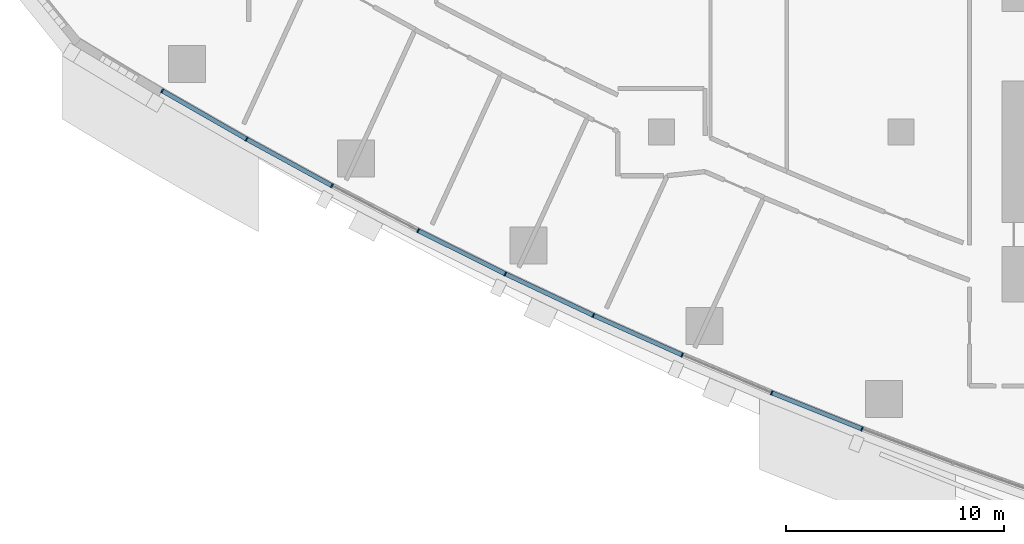
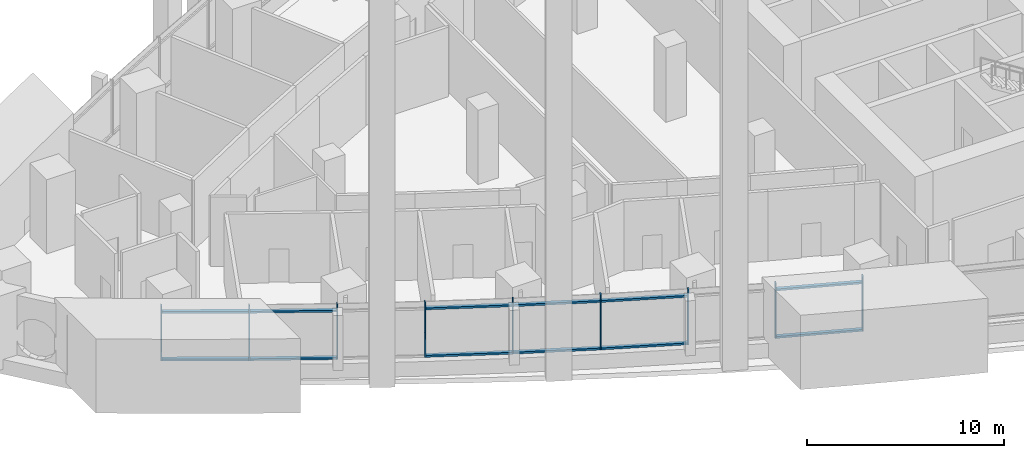
# One storey, part 2 of 17: 21 members, 4 elements without a shape of their own.
"""IFC4 building model written with IfcOpenShell, lengths in metres."""

from ifc_helpers import new_model, si_unit, direction, frame, origin, origin_2d, place, context, subcontext, project, spatial, rectangle, extrude, material, layer, layer_set, material_profile, profile_set, type_object, element, aggregate, save


model = new_model("IFC4")

# Units and contexts
model_context = context("Model", 3, precision=1e-05, world=origin(), true_north=direction((0.0, 1.0)))
body_context = subcontext(model_context, "Body", "Model", "MODEL_VIEW")
ifc_project = project(units=[si_unit("LENGTHUNIT", "METRE"), si_unit("AREAUNIT", "SQUARE_METRE"), si_unit("VOLUMEUNIT", "CUBIC_METRE"), si_unit("PLANEANGLEUNIT", "RADIAN"), si_unit("MASSUNIT", "GRAM", prefix="KILO")], contexts=[model_context])

# Site, building, storey
site_placement = place(None, origin())
site = spatial("IfcSite", under=ifc_project, at=site_placement, CompositionType="ELEMENT")
building_placement = place(site_placement, origin())
building = spatial("IfcBuilding", under=site, at=building_placement, Name="Ostrand Prow Hotel Tower", CompositionType="ELEMENT")
storey_placement = place(building_placement, frame((0.0, 0.0, 80.300048828125)))
storey = spatial("IfcBuildingStorey", under=building, at=storey_placement, Name="L18", CompositionType="ELEMENT", Elevation=80.300048828125)

# Curtain wall, members
ifc_material_1 = material(Name="Insulated glass in bronze anodised frame", Category="glass")
ifc_layer = layer(ifc_material_1, 0.199951171875)
ifc_layer_set = layer_set([ifc_layer], Name="Insulated glass in bronze anodised frame")
curtain_wall_type = type_object("IfcCurtainWallType", Name="Sky lobby full-height curtain wall", PredefinedType="NOTDEFINED", material=ifc_layer_set)
curtain_wall_1_placement = place(storey_placement, origin())
curtain_wall_1 = element("IfcCurtainWall", 1, at=curtain_wall_1_placement, inside=storey, type_object=curtain_wall_type, Name="CW3 run CWS1", PredefinedType="NOTDEFINED")
ifc_material_2 = material(Name="Bronze anodised aluminium", Category="aluminium")
ifc_material_profile_1 = material_profile(ifc_material_2, rectangle(XDim=0.199951171875, YDim=0.06005859375, at=origin_2d()), Name="Mullion 60x200 bronze anodised aluminium")
ifc_profile_set_1 = profile_set([ifc_material_profile_1], Name="Bronze anodised aluminium")
member_type_1 = type_object("IfcMemberType", Name="Mullion 60x200 bronze anodised aluminium", PredefinedType="MULLION", material=ifc_profile_set_1)
member_1_placement = place(storey_placement, frame((11.076416015625, -7.099853515625, 0.89990234375), z_axis=(0.0, 0.0, 1.0), x_axis=(0.497114806368, 0.867684775301, 0.0)))
member_1 = element("IfcMember", 2, at=member_1_placement, type_object=member_type_1, Name="CW3 mullion 1", PredefinedType="MULLION", context=body_context, shape_type="SweptSolid", body=[
    extrude(rectangle(XDim=0.199951171875, YDim=0.06005859375, at=origin_2d()), origin(), (0.0, 0.0, 1.0), 3.400146484375),
])
member_2_placement = place(storey_placement, frame((14.951416015625, -9.320068359375, 0.89990234375), z_axis=(0.0, 0.0, 1.0), x_axis=(0.479637052103, 0.877466978439, 0.0)))
member_2 = element("IfcMember", 3, at=member_2_placement, type_object=member_type_1, Name="CW3 mullion 2", PredefinedType="MULLION", context=body_context, shape_type="SweptSolid", body=[
    extrude(rectangle(XDim=0.199951171875, YDim=0.06005859375, at=origin_2d()), origin(), (0.0, 0.0, 1.0), 3.400146484375),
])
member_3_placement = place(storey_placement, frame((18.870361328125, -11.4619140625, 0.89990234375), z_axis=(0.0, 0.0, 1.0), x_axis=(0.479637052103, 0.877466978439, 0.0)))
member_3 = element("IfcMember", 4, at=member_3_placement, type_object=member_type_1, Name="CW3 mullion 3", PredefinedType="MULLION", context=body_context, shape_type="SweptSolid", body=[
    extrude(rectangle(XDim=0.199951171875, YDim=0.06005859375, at=origin_2d()), origin(), (0.0, 0.0, 1.0), 3.400146484375),
])

curtain_wall_2_placement = place(storey_placement, origin())
curtain_wall_2 = element("IfcCurtainWall", 5, at=curtain_wall_2_placement, inside=storey, type_object=curtain_wall_type, Name="CW3 run CWS2", PredefinedType="NOTDEFINED")
member_4_placement = place(storey_placement, frame((22.831298828125, -13.525146484375, 0.89990234375), z_axis=(0.0, 0.0, 1.0), x_axis=(0.44411295748, 0.895970803653, 0.0)))
member_4 = element("IfcMember", 6, at=member_4_placement, type_object=member_type_1, Name="CW3 mullion 2", PredefinedType="MULLION", context=body_context, shape_type="SweptSolid", body=[
    extrude(rectangle(XDim=0.199951171875, YDim=0.06005859375, at=origin_2d()), origin(), (0.0, 0.0, 1.0), 3.400146484375),
])
member_5_placement = place(storey_placement, frame((26.83251953125, -15.508544921875, 0.89990234375), z_axis=(0.0, 0.0, 1.0), x_axis=(0.44411295748, 0.895970803653, 0.0)))
member_5 = element("IfcMember", 7, at=member_5_placement, type_object=member_type_1, Name="CW3 mullion 3", PredefinedType="MULLION", context=body_context, shape_type="SweptSolid", body=[
    extrude(rectangle(XDim=0.199951171875, YDim=0.06005859375, at=origin_2d()), origin(), (0.0, 0.0, 1.0), 3.400146484375),
])

curtain_wall_3_placement = place(storey_placement, origin())
curtain_wall_3 = element("IfcCurtainWall", 8, at=curtain_wall_3_placement, inside=storey, type_object=curtain_wall_type, Name="CW3 run CWS3", PredefinedType="NOTDEFINED")
member_6_placement = place(storey_placement, frame((30.872802734375, -17.41162109375, 0.89990234375), z_axis=(0.0, 0.0, 1.0), x_axis=(0.407874755419, 0.913037887435, 0.0)))
member_6 = element("IfcMember", 9, at=member_6_placement, type_object=member_type_1, Name="CW3 mullion 2", PredefinedType="MULLION", context=body_context, shape_type="SweptSolid", body=[
    extrude(rectangle(XDim=0.199951171875, YDim=0.06005859375, at=origin_2d()), origin(), (0.0, 0.0, 1.0), 3.400146484375),
])
member_7_placement = place(storey_placement, frame((34.95068359375, -19.233154296875, 0.89990234375), z_axis=(0.0, 0.0, 1.0), x_axis=(0.407874755419, 0.913037887435, 0.0)))
member_7 = element("IfcMember", 10, at=member_7_placement, type_object=member_type_1, Name="CW3 mullion 3", PredefinedType="MULLION", context=body_context, shape_type="SweptSolid", body=[
    extrude(rectangle(XDim=0.199951171875, YDim=0.06005859375, at=origin_2d()), origin(), (0.0, 0.0, 1.0), 3.400146484375),
])

curtain_wall_4_placement = place(storey_placement, origin())
curtain_wall_4 = element("IfcCurtainWall", 11, at=curtain_wall_4_placement, inside=storey, type_object=curtain_wall_type, Name="CW3 run CWS4", PredefinedType="NOTDEFINED")
member_8_placement = place(storey_placement, frame((39.06396484375, -20.97265625, 0.89990234375), z_axis=(0.0, 0.0, 1.0), x_axis=(0.370982121315, 0.928640008649, 0.0)))
member_8 = element("IfcMember", 12, at=member_8_placement, type_object=member_type_1, Name="CW3 mullion 2", PredefinedType="MULLION", context=body_context, shape_type="SweptSolid", body=[
    extrude(rectangle(XDim=0.199951171875, YDim=0.06005859375, at=origin_2d()), origin(), (0.0, 0.0, 1.0), 3.400146484375),
])
member_9_placement = place(storey_placement, frame((43.211181640625, -22.62939453125, 0.89990234375), z_axis=(0.0, 0.0, 1.0), x_axis=(0.370982121315, 0.928640008649, 0.0)))
member_9 = element("IfcMember", 13, at=member_9_placement, type_object=member_type_1, Name="CW3 mullion 3", PredefinedType="MULLION", context=body_context, shape_type="SweptSolid", body=[
    extrude(rectangle(XDim=0.199951171875, YDim=0.06005859375, at=origin_2d()), origin(), (0.0, 0.0, 1.0), 3.400146484375),
])

# Member
ifc_material_3 = material(Name="Bronze anodised aluminium", Category="aluminium")
ifc_material_profile_2 = material_profile(ifc_material_3, rectangle(XDim=0.199951171875, YDim=0.1201171875, at=origin_2d()), Name="Transom 120x200 bronze anodised aluminium")
ifc_profile_set_2 = profile_set([ifc_material_profile_2], Name="Bronze anodised aluminium")
member_type_2 = type_object("IfcMemberType", Name="Transom 120x200 bronze anodised aluminium", PredefinedType="USERDEFINED", material=ifc_profile_set_2)
member_10_placement = place(storey_placement, frame((11.1025390625, -7.11474609375, 0.9599609375), z_axis=(0.86766970623, -0.497141107625, 0.0), x_axis=(0.497141107625, 0.86766970623, 0.0)))
member_10 = element("IfcMember", 14, at=member_10_placement, type_object=member_type_2, Name="CW3 transom 1.1", ObjectType="TRANSOM", PredefinedType="USERDEFINED", context=body_context, shape_type="SweptSolid", body=[
    extrude(rectangle(XDim=0.199951171875, YDim=0.1201171875, at=origin_2d()), origin(), (0.0, 0.0, 1.0), 4.406005859375),
])

member_11_placement = place(storey_placement, frame((11.1025390625, -7.11474609375, 3.89990234375), z_axis=(0.86766970623, -0.497141107625, 0.0), x_axis=(0.497141107625, 0.86766970623, 0.0)))
member_11 = element("IfcMember", 15, at=member_11_placement, type_object=member_type_2, Name="CW3 transom 1.2", ObjectType="TRANSOM", PredefinedType="USERDEFINED", context=body_context, shape_type="SweptSolid", body=[
    extrude(rectangle(XDim=0.199951171875, YDim=0.1201171875, at=origin_2d()), origin(), (0.0, 0.0, 1.0), 4.406005859375),
])

member_12_placement = place(storey_placement, frame((14.977783203125, -9.33447265625, 0.9599609375), z_axis=(0.877471714137, -0.479628388328, 0.0), x_axis=(0.479628388328, 0.877471714137, 0.0)))
member_12 = element("IfcMember", 16, at=member_12_placement, type_object=member_type_2, Name="CW3 transom 2.1", ObjectType="TRANSOM", PredefinedType="USERDEFINED", context=body_context, shape_type="SweptSolid", body=[
    extrude(rectangle(XDim=0.199951171875, YDim=0.1201171875, at=origin_2d()), origin(), (0.0, 0.0, 1.0), 4.406005859375),
])

member_13_placement = place(storey_placement, frame((14.977783203125, -9.33447265625, 3.89990234375), z_axis=(0.877471714137, -0.479628388328, 0.0), x_axis=(0.479628388328, 0.877471714137, 0.0)))
member_13 = element("IfcMember", 17, at=member_13_placement, type_object=member_type_2, Name="CW3 transom 2.2", ObjectType="TRANSOM", PredefinedType="USERDEFINED", context=body_context, shape_type="SweptSolid", body=[
    extrude(rectangle(XDim=0.199951171875, YDim=0.1201171875, at=origin_2d()), origin(), (0.0, 0.0, 1.0), 4.406005859375),
])

aggregate(curtain_wall_1, [member_1, member_2, member_3, member_10, member_11, member_12, member_13])

member_14_placement = place(storey_placement, frame((22.858154296875, -13.53857421875, 0.9599609375), z_axis=(0.895962348168, -0.444130015497, 0.0), x_axis=(0.444130015497, 0.895962348168, 0.0)))
member_14 = element("IfcMember", 18, at=member_14_placement, type_object=member_type_2, Name="CW3 transom 2.1", ObjectType="TRANSOM", PredefinedType="USERDEFINED", context=body_context, shape_type="SweptSolid", body=[
    extrude(rectangle(XDim=0.199951171875, YDim=0.1201171875, at=origin_2d()), origin(), (0.0, 0.0, 1.0), 4.406005859375),
])

member_15_placement = place(storey_placement, frame((22.858154296875, -13.53857421875, 3.89990234375), z_axis=(0.895962348168, -0.444130015497, 0.0), x_axis=(0.444130015497, 0.895962348168, 0.0)))
member_15 = element("IfcMember", 19, at=member_15_placement, type_object=member_type_2, Name="CW3 transom 2.2", ObjectType="TRANSOM", PredefinedType="USERDEFINED", context=body_context, shape_type="SweptSolid", body=[
    extrude(rectangle(XDim=0.199951171875, YDim=0.1201171875, at=origin_2d()), origin(), (0.0, 0.0, 1.0), 4.406005859375),
])

aggregate(curtain_wall_2, [member_4, member_5, member_14, member_15])

member_16_placement = place(storey_placement, frame((26.859619140625, -15.521484375, 0.9599609375), z_axis=(0.904696854963, -0.42605586561, 0.0), x_axis=(0.42605586561, 0.904696854963, 0.0)))
member_16 = element("IfcMember", 20, at=member_16_placement, type_object=member_type_2, Name="CW3 transom 1.1", ObjectType="TRANSOM", PredefinedType="USERDEFINED", context=body_context, shape_type="SweptSolid", body=[
    extrude(rectangle(XDim=0.199951171875, YDim=0.1201171875, at=origin_2d()), origin(), (0.0, 0.0, 1.0), 4.406005859375),
])

member_17_placement = place(storey_placement, frame((26.859619140625, -15.521484375, 3.89990234375), z_axis=(0.904696854963, -0.42605586561, 0.0), x_axis=(0.42605586561, 0.904696854963, 0.0)))
member_17 = element("IfcMember", 21, at=member_17_placement, type_object=member_type_2, Name="CW3 transom 1.2", ObjectType="TRANSOM", PredefinedType="USERDEFINED", context=body_context, shape_type="SweptSolid", body=[
    extrude(rectangle(XDim=0.199951171875, YDim=0.1201171875, at=origin_2d()), origin(), (0.0, 0.0, 1.0), 4.406005859375),
])

member_18_placement = place(storey_placement, frame((30.900390625, -17.423583984375, 0.9599609375), z_axis=(0.913030665163, -0.407890922271, 0.0), x_axis=(0.407890922271, 0.913030665163, 0.0)))
member_18 = element("IfcMember", 22, at=member_18_placement, type_object=member_type_2, Name="CW3 transom 2.1", ObjectType="TRANSOM", PredefinedType="USERDEFINED", context=body_context, shape_type="SweptSolid", body=[
    extrude(rectangle(XDim=0.199951171875, YDim=0.1201171875, at=origin_2d()), origin(), (0.0, 0.0, 1.0), 4.40576171875),
])

member_19_placement = place(storey_placement, frame((30.900390625, -17.423583984375, 3.89990234375), z_axis=(0.913030665163, -0.407890922271, 0.0), x_axis=(0.407890922271, 0.913030665163, 0.0)))
member_19 = element("IfcMember", 23, at=member_19_placement, type_object=member_type_2, Name="CW3 transom 2.2", ObjectType="TRANSOM", PredefinedType="USERDEFINED", context=body_context, shape_type="SweptSolid", body=[
    extrude(rectangle(XDim=0.199951171875, YDim=0.1201171875, at=origin_2d()), origin(), (0.0, 0.0, 1.0), 4.40576171875),
])

aggregate(curtain_wall_3, [member_6, member_7, member_16, member_17, member_18, member_19])

member_20_placement = place(storey_placement, frame((39.091796875, -20.983642578125, 0.9599609375), z_axis=(0.928621833209, -0.371027614724, 0.0), x_axis=(0.371027614724, 0.928621833209, 0.0)))
member_20 = element("IfcMember", 24, at=member_20_placement, type_object=member_type_2, Name="CW3 transom 2.1", ObjectType="TRANSOM", PredefinedType="USERDEFINED", context=body_context, shape_type="SweptSolid", body=[
    extrude(rectangle(XDim=0.199951171875, YDim=0.1201171875, at=origin_2d()), origin(), (0.0, 0.0, 1.0), 4.406005859375),
])

member_21_placement = place(storey_placement, frame((39.091796875, -20.983642578125, 3.89990234375), z_axis=(0.928621833209, -0.371027614724, 0.0), x_axis=(0.371027614724, 0.928621833209, 0.0)))
member_21 = element("IfcMember", 25, at=member_21_placement, type_object=member_type_2, Name="CW3 transom 2.2", ObjectType="TRANSOM", PredefinedType="USERDEFINED", context=body_context, shape_type="SweptSolid", body=[
    extrude(rectangle(XDim=0.199951171875, YDim=0.1201171875, at=origin_2d()), origin(), (0.0, 0.0, 1.0), 4.406005859375),
])

aggregate(curtain_wall_4, [member_8, member_9, member_20, member_21])

save(model, "model.ifc")
